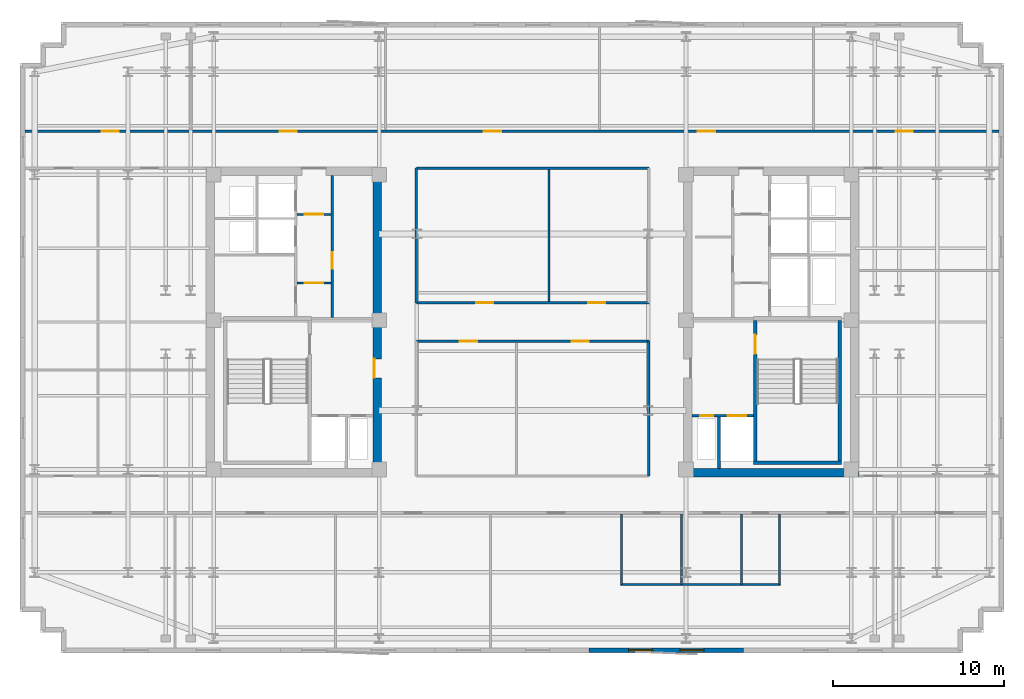
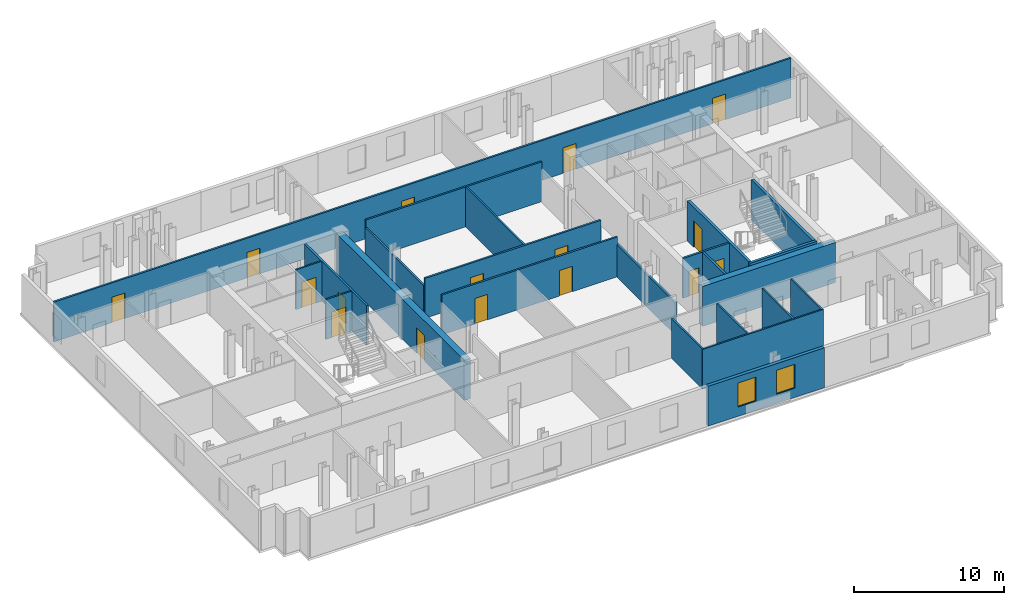
# One storey, part 5 of 9: 23 walls, 16 doors, 2 windows, 18 openings.
"""IFC4 building model written with IfcOpenShell, lengths in metres."""

from ifc_helpers import new_model, si_unit, direction, frame, frame_2d, origin, place, context, subcontext, project, spatial, rectangle, extrude, material, layer, layer_set, type_object, element, fill, save


model = new_model("IFC4")

# Units and contexts
model_context = context("Model", 3, precision=1e-05, world=origin(), true_north=direction((0.0, 1.0)))
body_context = subcontext(model_context, "Body", "Model", "MODEL_VIEW")
ifc_project = project(units=[si_unit("LENGTHUNIT", "METRE"), si_unit("AREAUNIT", "SQUARE_METRE"), si_unit("VOLUMEUNIT", "CUBIC_METRE"), si_unit("PLANEANGLEUNIT", "RADIAN"), si_unit("MASSUNIT", "GRAM", prefix="KILO")], contexts=[model_context])

# Site, building, storey
site_placement = place(None, origin())
site = spatial("IfcSite", under=ifc_project, at=site_placement, CompositionType="ELEMENT")
building_placement = place(site_placement, origin())
building = spatial("IfcBuilding", under=site, at=building_placement, Name="Velakula Bourse", CompositionType="ELEMENT")
storey_placement = place(building_placement, frame((0.0, 0.0, 222.300048828125)))
storey = spatial("IfcBuildingStorey", under=building, at=storey_placement, Name="L60", CompositionType="ELEMENT", Elevation=222.300048828125)

# Wall, opening, door
ifc_material_1 = material(Name="Concrete M50 (fck 50 MPa)", Category="concrete")
ifc_layer_1 = layer(ifc_material_1, 0.2099609375, Name="Concrete M50 (fck 50 MPa)", Category="concrete")
ifc_layer_set_1 = layer_set([ifc_layer_1], Name="Concrete M50 (fck 50 MPa)")
wall_type_1 = type_object("IfcWallType", Name="WL-CORE-210", PredefinedType="SHEAR", material=ifc_layer_set_1)
wall_1_placement = place(storey_placement, frame((12.9951171875, -8.10009765625, 0.0), z_axis=(0.0, 0.0, 1.0), x_axis=(0.0, 1.0, 0.0)))
wall_1 = element("IfcWall", 1, at=wall_1_placement, inside=storey, type_object=wall_type_1, Name="L60 Core E Stairwell Shear Wall IN", PredefinedType="SHEAR", context=body_context, shape_type="SweptSolid", body=[
    extrude(rectangle(XDim=8.2001953125, YDim=0.2099609375, at=frame_2d((4.10009765625, 0.0))), origin(), (0.0, 0.0, 1.0), 3.27001953125),
])
opening_1_placement = place(wall_1_placement, frame((6.25, 0.0, 0.0)))
opening_1 = element("IfcOpeningElement", 2, at=opening_1_placement, cuts=wall_1, Name="Opening D-STE1", PredefinedType="OPENING", context=body_context, shape_type="SweptSolid", body=[
    extrude(rectangle(XDim=1.10009765625, YDim=2.14990234375, at=frame_2d((0.550048828125, 1.074951171875))), frame((0.0, 0.114990234375, 0.0), z_axis=(0.0, -1.0, 0.0), x_axis=(1.0, 0.0, 0.0)), (0.0, 0.0, 1.0), 0.22998046875),
])
ifc_material_2 = material(Name="Galvanised painted hollow steel fire door", Category="steel")
door_type_1 = type_object("IfcDoorType", Name="DR-FD120-1100x2150", OperationType="NOTDEFINED", PredefinedType="DOOR", material=ifc_material_2)
door_1_placement = place(opening_1_placement, origin())
door_1 = element("IfcDoor", 3, at=door_1_placement, inside=storey, type_object=door_type_1, Name="L60 Stair ST-E1 Fire Door", OperationType="SINGLE_SWING_RIGHT", OverallHeight=2.14990234375, OverallWidth=1.10009765625, PredefinedType="DOOR", context=body_context, shape_type="SweptSolid", body=[
    extrude(rectangle(XDim=1.10009765625, YDim=2.14990234375, at=frame_2d((0.550048828125, 1.074951171875))), frame((0.0, 0.02490234375, 0.0), z_axis=(0.0, -1.0, 0.0), x_axis=(1.0, 0.0, 0.0)), (0.0, 0.0, 1.0), 0.050048828125),
])
fill(opening_1, door_1)

# Walls
wall_2_placement = place(storey_placement, frame((17.925048828125, -8.10009765625, 0.0), z_axis=(0.0, 0.0, 1.0), x_axis=(0.0, 1.0, 0.0)))
element("IfcWall", 4, at=wall_2_placement, inside=storey, type_object=wall_type_1, Name="L60 Core E Stairwell Shear Wall OUT", PredefinedType="SHEAR", context=body_context, shape_type="SweptSolid", body=[
    extrude(rectangle(XDim=8.2001953125, YDim=0.2099609375, at=frame_2d((4.10009765625, 0.0))), origin(), (0.0, 0.0, 1.0), 3.27001953125),
])
wall_3_placement = place(storey_placement, frame((12.889892578125, -8.205078125, 0.0), z_axis=(0.0, 0.0, 1.0), x_axis=(1.0, 0.0, 0.0)))
element("IfcWall", 5, at=wall_3_placement, inside=storey, type_object=wall_type_1, Name="L60 Core E Stairwell Shear Wall S", PredefinedType="SHEAR", context=body_context, shape_type="SweptSolid", body=[
    extrude(rectangle(XDim=5.14013671875, YDim=0.2099609375, at=frame_2d((2.570068359375, 0.0))), origin(), (0.0, 0.0, 1.0), 3.27001953125),
])

# Wall, opening, door
ifc_layer_2 = layer(ifc_material_1, 0.5, Name="Concrete M50 (fck 50 MPa)", Category="concrete")
ifc_layer_set_2 = layer_set([ifc_layer_2], Name="Concrete M50 (fck 50 MPa)")
wall_type_2 = type_object("IfcWallType", Name="WL-CORE-500", PredefinedType="SHEAR", material=ifc_layer_set_2)
wall_4_placement = place(storey_placement, frame((-9.050048828125, -8.550048828125, 0.0), z_axis=(0.0, 0.0, 1.0), x_axis=(0.0, 1.0, 0.0)))
wall_4 = element("IfcWall", 6, at=wall_4_placement, inside=storey, type_object=wall_type_2, Name="L60 Core W Shear Wall E", PredefinedType="SHEAR", context=body_context, shape_type="SweptSolid", body=[
    extrude(rectangle(XDim=17.10009765625, YDim=0.5, at=frame_2d((8.550048828125, 0.0))), origin(), (0.0, 0.0, 1.0), 3.27001953125),
])
opening_2_placement = place(wall_4_placement, frame((5.300048828125, 0.0, 0.0)))
opening_2 = element("IfcOpeningElement", 7, at=opening_2_placement, cuts=wall_4, Name="Opening D-FLW", PredefinedType="OPENING", context=body_context, shape_type="SweptSolid", body=[
    extrude(rectangle(XDim=1.10009765625, YDim=2.080078125, at=frame_2d((0.550048828125, 1.0400390625))), frame((0.0, 0.260009765625, 0.0), z_axis=(0.0, -1.0, 0.0), x_axis=(1.0, 0.0, 0.0)), (0.0, 0.0, 1.0), 0.52001953125),
])
door_type_2 = type_object("IfcDoorType", Name="DR-FD120-1100", OperationType="NOTDEFINED", PredefinedType="DOOR", material=ifc_material_2)
door_2_placement = place(opening_2_placement, origin())
door_2 = element("IfcDoor", 8, at=door_2_placement, inside=storey, type_object=door_type_2, Name="L60 Firefighting Lobby W Corridor Fire Door", OperationType="SINGLE_SWING_LEFT", OverallHeight=2.080078125, OverallWidth=1.10009765625, PredefinedType="DOOR", context=body_context, shape_type="SweptSolid", body=[
    extrude(rectangle(XDim=1.10009765625, YDim=2.080078125, at=frame_2d((0.550048828125, 1.0400390625))), frame((0.0, 0.205078125, 0.0), z_axis=(0.0, -1.0, 0.0), x_axis=(1.0, 0.0, 0.0)), (0.0, 0.0, 1.0), 0.050048828125),
])
fill(opening_2, door_2)

# Wall
wall_5_placement = place(storey_placement, frame((8.800048828125, -8.800048828125, 0.0), z_axis=(0.0, 0.0, 1.0), x_axis=(1.0, 0.0, 0.0)))
element("IfcWall", 9, at=wall_5_placement, inside=storey, type_object=wall_type_2, Name="L60 Core E Shear Wall S", PredefinedType="SHEAR", context=body_context, shape_type="SweptSolid", body=[
    extrude(rectangle(XDim=10.25, YDim=0.5, at=frame_2d((5.125, 0.0))), origin(), (0.0, 0.0, 1.0), 3.27001953125),
])

# Wall, openings, windows
ifc_material_3 = material(Name="Buff kilned clay facing brick masonry", Category="masonry")
ifc_layer_3 = layer(ifc_material_3, 0.260009765625, Name="Buff kilned clay facing brick masonry", Category="masonry")
ifc_layer_set_3 = layer_set([ifc_layer_3], Name="Buff kilned clay facing brick masonry")
wall_type_3 = type_object("IfcWallType", Name="WL-EXT-BRK-260", PredefinedType="STANDARD", material=ifc_layer_set_3)
wall_6_placement = place(storey_placement, frame((12.300048828125, -19.14990234375, 0.0), z_axis=(0.0, 0.0, 1.0), x_axis=(-1.0, 0.0, 0.0)))
wall_6 = element("IfcWall", 10, at=wall_6_placement, inside=storey, type_object=wall_type_3, Name="L60 S Brick Spandrel Wall B4", PredefinedType="STANDARD", context=body_context, shape_type="SweptSolid", body=[
    extrude(rectangle(XDim=9.0, YDim=0.260009765625, at=frame_2d((4.5, 0.0))), origin(), (0.0, 0.0, 1.0), 3.25),
])
opening_3_placement = place(wall_6_placement, frame((2.300048828125, 0.0, 0.760009765625)))
opening_3 = element("IfcOpeningElement", 11, at=opening_3_placement, cuts=wall_6, Name="Opening W-03", PredefinedType="OPENING", context=body_context, shape_type="SweptSolid", body=[
    extrude(rectangle(XDim=1.39990234375, YDim=1.949951171875, at=frame_2d((0.699951171875, 0.97509765625))), frame((0.0, 0.139892578125, 0.0), z_axis=(0.0, -1.0, 0.0), x_axis=(1.0, 0.0, 0.0)), (0.0, 0.0, 1.0), 0.280029296875),
])
opening_4_placement = place(wall_6_placement, frame((5.300048828125, 0.0, 0.760009765625)))
opening_4 = element("IfcOpeningElement", 12, at=opening_4_placement, cuts=wall_6, Name="Opening W-03", PredefinedType="OPENING", context=body_context, shape_type="SweptSolid", body=[
    extrude(rectangle(XDim=1.39990234375, YDim=1.949951171875, at=frame_2d((0.699951171875, 0.97509765625))), frame((0.0, 0.139892578125, 0.0), z_axis=(0.0, -1.0, 0.0), x_axis=(1.0, 0.0, 0.0)), (0.0, 0.0, 1.0), 0.280029296875),
])
ifc_material_4 = material(Name="Double-glazed solar-control Low-E glass", Category="glass")
window_type = type_object("IfcWindowType", Name="WIN-TWR-1400x2100", PartitioningType="SINGLE_PANEL", PredefinedType="WINDOW", material=ifc_material_4)
window_1_placement = place(opening_3_placement, origin())
window_1 = element("IfcWindow", 13, at=window_1_placement, inside=storey, type_object=window_type, Name="L60 Deep-Set Recessed Window 1", OverallHeight=1.949951171875, OverallWidth=1.39990234375, PartitioningType="SINGLE_PANEL", PredefinedType="WINDOW", context=body_context, shape_type="SweptSolid", body=[
    extrude(rectangle(XDim=1.39990234375, YDim=1.949951171875, at=frame_2d((0.699951171875, 0.97509765625))), frame((0.0, 0.030029296875, 0.0), z_axis=(0.0, -1.0, 0.0), x_axis=(1.0, 0.0, 0.0)), (0.0, 0.0, 1.0), 0.06005859375),
])
fill(opening_3, window_1)
window_2_placement = place(opening_4_placement, origin())
window_2 = element("IfcWindow", 14, at=window_2_placement, inside=storey, type_object=window_type, Name="L60 Deep-Set Recessed Window 2", OverallHeight=1.949951171875, OverallWidth=1.39990234375, PartitioningType="SINGLE_PANEL", PredefinedType="WINDOW", context=body_context, shape_type="SweptSolid", body=[
    extrude(rectangle(XDim=1.39990234375, YDim=1.949951171875, at=frame_2d((0.699951171875, 0.97509765625))), frame((0.0, 0.030029296875, 0.0), z_axis=(0.0, -1.0, 0.0), x_axis=(1.0, 0.0, 0.0)), (0.0, 0.0, 1.0), 0.06005859375),
])
fill(opening_4, window_2)

# Wall, opening, door
ifc_material_5 = material(Name="Fire-rated double-layer gypsum drywall partition", Category="gypsum")
ifc_layer_4 = layer(ifc_material_5, 0.1201171875, Name="Fire-rated double-layer gypsum drywall partition", Category="gypsum")
ifc_layer_set_4 = layer_set([ifc_layer_4], Name="Fire-rated double-layer gypsum drywall partition")
wall_type_4 = type_object("IfcWallType", Name="WL-PART-120", PredefinedType="STANDARD", material=ifc_layer_set_4)
wall_7_placement = place(storey_placement, frame((-13.75, 2.280029296875, 0.0), z_axis=(0.0, 0.0, 1.0), x_axis=(1.0, 0.0, 0.0)))
wall_7 = element("IfcWall", 15, at=wall_7_placement, inside=storey, type_object=wall_type_4, Name="L60 Interior Partition WL-CRW-L60-LL-K3A", PredefinedType="STANDARD", context=body_context, shape_type="SweptSolid", body=[
    extrude(rectangle(XDim=2.0, YDim=0.1201171875, at=frame_2d((1.0, 0.0))), origin(), (0.0, 0.0, 1.0), 3.25),
])
opening_5_placement = place(wall_7_placement, frame((0.449951171875, 0.0, 0.0)))
opening_5 = element("IfcOpeningElement", 16, at=opening_5_placement, cuts=wall_7, Name="Opening D-LK3", PredefinedType="OPENING", context=body_context, shape_type="SweptSolid", body=[
    extrude(rectangle(XDim=1.10009765625, YDim=2.10009765625, at=frame_2d((0.550048828125, 1.050048828125))), frame((0.0, 0.070068359375, 0.0), z_axis=(0.0, -1.0, 0.0), x_axis=(1.0, 0.0, 0.0)), (0.0, 0.0, 1.0), 0.14013671875),
])
ifc_material_6 = material(Name="Fire-rated hardwood flush architectural door", Category="wood")
door_type_3 = type_object("IfcDoorType", Name="DR-FD60-1100x2100", OperationType="NOTDEFINED", PredefinedType="DOOR", material=ifc_material_6)
door_3_placement = place(opening_5_placement, origin())
door_3 = element("IfcDoor", 17, at=door_3_placement, inside=storey, type_object=door_type_3, Name="L60 Core W Lift Lobby Vestibule Door A", OperationType="SINGLE_SWING_RIGHT", OverallHeight=2.10009765625, OverallWidth=1.10009765625, PredefinedType="DOOR", context=body_context, shape_type="SweptSolid", body=[
    extrude(rectangle(XDim=1.10009765625, YDim=2.10009765625, at=frame_2d((0.550048828125, 1.050048828125))), frame((0.0, 0.02490234375, 0.0), z_axis=(0.0, -1.0, 0.0), x_axis=(1.0, 0.0, 0.0)), (0.0, 0.0, 1.0), 0.050048828125),
])
fill(opening_5, door_3)

wall_8_placement = place(storey_placement, frame((-13.75, 6.280029296875, 0.0), z_axis=(0.0, 0.0, 1.0), x_axis=(1.0, 0.0, 0.0)))
wall_8 = element("IfcWall", 18, at=wall_8_placement, inside=storey, type_object=wall_type_4, Name="L60 Interior Partition WL-CRW-L60-LL-K3B", PredefinedType="STANDARD", context=body_context, shape_type="SweptSolid", body=[
    extrude(rectangle(XDim=2.0, YDim=0.1201171875, at=frame_2d((1.0, 0.0))), origin(), (0.0, 0.0, 1.0), 3.25),
])
opening_6_placement = place(wall_8_placement, frame((0.449951171875, 0.0, 0.0)))
opening_6 = element("IfcOpeningElement", 19, at=opening_6_placement, cuts=wall_8, Name="Opening D-LK3", PredefinedType="OPENING", context=body_context, shape_type="SweptSolid", body=[
    extrude(rectangle(XDim=1.10009765625, YDim=2.10009765625, at=frame_2d((0.550048828125, 1.050048828125))), frame((0.0, 0.070068359375, 0.0), z_axis=(0.0, -1.0, 0.0), x_axis=(1.0, 0.0, 0.0)), (0.0, 0.0, 1.0), 0.14013671875),
])
door_4_placement = place(opening_6_placement, origin())
door_4 = element("IfcDoor", 20, at=door_4_placement, inside=storey, type_object=door_type_3, Name="L60 Core W Lift Lobby Vestibule Door B", OperationType="SINGLE_SWING_RIGHT", OverallHeight=2.10009765625, OverallWidth=1.10009765625, PredefinedType="DOOR", context=body_context, shape_type="SweptSolid", body=[
    extrude(rectangle(XDim=1.10009765625, YDim=2.10009765625, at=frame_2d((0.550048828125, 1.050048828125))), frame((0.0, 0.02490234375, 0.0), z_axis=(0.0, -1.0, 0.0), x_axis=(1.0, 0.0, 0.0)), (0.0, 0.0, 1.0), 0.050048828125),
])
fill(opening_6, door_4)

# Walls
wall_9_placement = place(storey_placement, frame((5.139892578125, -15.320068359375, 0.0), z_axis=(0.0, 0.0, 1.0), x_axis=(1.0, 0.0, 0.0)))
element("IfcWall", 21, at=wall_9_placement, inside=storey, type_object=wall_type_4, Name="L60 Interior Partition WL-WC-L60-BACK", PredefinedType="STANDARD", context=body_context, shape_type="SweptSolid", body=[
    extrude(rectangle(XDim=9.320068359375, YDim=0.1201171875, at=frame_2d((4.66015625, 0.0))), origin(), (0.0, 0.0, 1.0), 3.25),
])
for number, where, z_axis, x_axis, name in (
    (22, (5.199951171875, -15.320068359375, 0.0), (0.0, 0.0, 1.0), (0.0, 1.0, 0.0), "L60 Interior Partition WL-WC-L60-V1"),
    (23, (8.699951171875, -15.320068359375, 0.0), (0.0, 0.0, 1.0), (0.0, 1.0, 0.0), "L60 Interior Partition WL-WC-L60-V2"),
    (24, (12.199951171875, -15.320068359375, 0.0), (0.0, 0.0, 1.0), (0.0, 1.0, 0.0), "L60 Interior Partition WL-WC-L60-V3"),
    (25, (14.39990234375, -15.320068359375, 0.0), (0.0, 0.0, 1.0), (0.0, 1.0, 0.0), "L60 Interior Partition WL-WC-L60-V4"),
):
    element("IfcWall", number, at=place(storey_placement, frame(where, z_axis=z_axis, x_axis=x_axis)), inside=storey, type_object=wall_type_4, Name=name, PredefinedType="STANDARD", context=body_context, shape_type="SweptSolid", body=[
        extrude(rectangle(XDim=4.130126953125, YDim=0.1201171875, at=frame_2d((2.06494140625, 0.0))), origin(), (0.0, 0.0, 1.0), 3.25),
    ])

# Wall, openings, doors
ifc_layer_5 = layer(ifc_material_5, 0.139892578125, Name="Fire-rated double-layer gypsum drywall partition", Category="gypsum")
ifc_layer_set_5 = layer_set([ifc_layer_5], Name="Fire-rated double-layer gypsum drywall partition")
wall_type_5 = type_object("IfcWallType", Name="WL-PART-140", PredefinedType="STANDARD", material=ifc_layer_set_5)
wall_10_placement = place(storey_placement, frame((-29.6201171875, 11.1201171875, 0.0), z_axis=(0.0, 0.0, 1.0), x_axis=(1.0, 0.0, 0.0)))
wall_10 = element("IfcWall", 26, at=wall_10_placement, inside=storey, type_object=wall_type_5, Name="L60 Interior Partition WL-INT-L60-N-CORR", PredefinedType="STANDARD", context=body_context, shape_type="SweptSolid", body=[
    extrude(rectangle(XDim=56.840087890625, YDim=0.139892578125, at=frame_2d((28.419921875, 0.0))), origin(), (0.0, 0.0, 1.0), 3.25),
])
opening_7_placement = place(wall_10_placement, frame((4.47705078125, 0.0, 0.0)))
opening_7 = element("IfcOpeningElement", 27, at=opening_7_placement, cuts=wall_10, Name="Opening D-OF1", PredefinedType="OPENING", context=body_context, shape_type="SweptSolid", body=[
    extrude(rectangle(XDim=1.0, YDim=2.080078125, at=frame_2d((0.5, 1.0400390625))), frame((0.0, 0.079833984375, 0.0), z_axis=(0.0, -1.0, 0.0), x_axis=(1.0, 0.0, 0.0)), (0.0, 0.0, 1.0), 0.159912109375),
])
opening_8_placement = place(wall_10_placement, frame((14.8740234375, 0.0, 0.0)))
opening_8 = element("IfcOpeningElement", 28, at=opening_8_placement, cuts=wall_10, Name="Opening D-OF1", PredefinedType="OPENING", context=body_context, shape_type="SweptSolid", body=[
    extrude(rectangle(XDim=1.0, YDim=2.080078125, at=frame_2d((0.5, 1.0400390625))), frame((0.0, 0.079833984375, 0.0), z_axis=(0.0, -1.0, 0.0), x_axis=(1.0, 0.0, 0.0)), (0.0, 0.0, 1.0), 0.159912109375),
])
opening_9_placement = place(wall_10_placement, frame((26.785400390625, 0.0, 0.0)))
opening_9 = element("IfcOpeningElement", 29, at=opening_9_placement, cuts=wall_10, Name="Opening D-OF1", PredefinedType="OPENING", context=body_context, shape_type="SweptSolid", body=[
    extrude(rectangle(XDim=1.0, YDim=2.080078125, at=frame_2d((0.5, 1.0400390625))), frame((0.0, 0.079833984375, 0.0), z_axis=(0.0, -1.0, 0.0), x_axis=(1.0, 0.0, 0.0)), (0.0, 0.0, 1.0), 0.159912109375),
])
opening_10_placement = place(wall_10_placement, frame((39.263916015625, 0.0, 0.0)))
opening_10 = element("IfcOpeningElement", 30, at=opening_10_placement, cuts=wall_10, Name="Opening D-OF1", PredefinedType="OPENING", context=body_context, shape_type="SweptSolid", body=[
    extrude(rectangle(XDim=1.0, YDim=2.080078125, at=frame_2d((0.5, 1.0400390625))), frame((0.0, 0.079833984375, 0.0), z_axis=(0.0, -1.0, 0.0), x_axis=(1.0, 0.0, 0.0)), (0.0, 0.0, 1.0), 0.159912109375),
])
opening_11_placement = place(wall_10_placement, frame((50.79541015625, 0.0, 0.0)))
opening_11 = element("IfcOpeningElement", 31, at=opening_11_placement, cuts=wall_10, Name="Opening D-OF1", PredefinedType="OPENING", context=body_context, shape_type="SweptSolid", body=[
    extrude(rectangle(XDim=1.0, YDim=2.080078125, at=frame_2d((0.5, 1.0400390625))), frame((0.0, 0.079833984375, 0.0), z_axis=(0.0, -1.0, 0.0), x_axis=(1.0, 0.0, 0.0)), (0.0, 0.0, 1.0), 0.159912109375),
])
door_type_4 = type_object("IfcDoorType", Name="DR-OFF-1000", OperationType="NOTDEFINED", PredefinedType="DOOR", material=ifc_material_6)
door_5_placement = place(opening_7_placement, origin())
door_5 = element("IfcDoor", 32, at=door_5_placement, inside=storey, type_object=door_type_4, Name="L60 Equity Options Trading Workspace Door", OperationType="SINGLE_SWING_LEFT", OverallHeight=2.080078125, OverallWidth=1.0, PredefinedType="DOOR", context=body_context, shape_type="SweptSolid", body=[
    extrude(rectangle(XDim=1.0, YDim=2.080078125, at=frame_2d((0.5, 1.0400390625))), frame((0.0, 0.02490234375, 0.0), z_axis=(0.0, -1.0, 0.0), x_axis=(1.0, 0.0, 0.0)), (0.0, 0.0, 1.0), 0.050048828125),
])
fill(opening_7, door_5)
door_6_placement = place(opening_8_placement, origin())
door_6 = element("IfcDoor", 33, at=door_6_placement, inside=storey, type_object=door_type_4, Name="L60 Disciplinary Hearing Room Door", OperationType="SINGLE_SWING_RIGHT", OverallHeight=2.080078125, OverallWidth=1.0, PredefinedType="DOOR", context=body_context, shape_type="SweptSolid", body=[
    extrude(rectangle(XDim=1.0, YDim=2.080078125, at=frame_2d((0.5, 1.0400390625))), frame((0.0, 0.02490234375, 0.0), z_axis=(0.0, -1.0, 0.0), x_axis=(1.0, 0.0, 0.0)), (0.0, 0.0, 1.0), 0.050048828125),
])
fill(opening_8, door_6)
door_7_placement = place(opening_9_placement, origin())
door_7 = element("IfcDoor", 34, at=door_7_placement, inside=storey, type_object=door_type_4, Name="L60 Traders Pantry Door", OperationType="SINGLE_SWING_LEFT", OverallHeight=2.080078125, OverallWidth=1.0, PredefinedType="DOOR", context=body_context, shape_type="SweptSolid", body=[
    extrude(rectangle(XDim=1.0, YDim=2.080078125, at=frame_2d((0.5, 1.0400390625))), frame((0.0, 0.02490234375, 0.0), z_axis=(0.0, -1.0, 0.0), x_axis=(1.0, 0.0, 0.0)), (0.0, 0.0, 1.0), 0.050048828125),
])
fill(opening_9, door_7)
door_8_placement = place(opening_10_placement, origin())
door_8 = element("IfcDoor", 35, at=door_8_placement, inside=storey, type_object=door_type_4, Name="L60 Quiet Financial Library Door", OperationType="SINGLE_SWING_RIGHT", OverallHeight=2.080078125, OverallWidth=1.0, PredefinedType="DOOR", context=body_context, shape_type="SweptSolid", body=[
    extrude(rectangle(XDim=1.0, YDim=2.080078125, at=frame_2d((0.5, 1.0400390625))), frame((0.0, 0.02490234375, 0.0), z_axis=(0.0, -1.0, 0.0), x_axis=(1.0, 0.0, 0.0)), (0.0, 0.0, 1.0), 0.050048828125),
])
fill(opening_10, door_8)
door_9_placement = place(opening_11_placement, origin())
door_9 = element("IfcDoor", 36, at=door_9_placement, inside=storey, type_object=door_type_4, Name="L60 Margin Control Office Door", OperationType="SINGLE_SWING_LEFT", OverallHeight=2.080078125, OverallWidth=1.0, PredefinedType="DOOR", context=body_context, shape_type="SweptSolid", body=[
    extrude(rectangle(XDim=1.0, YDim=2.080078125, at=frame_2d((0.5, 1.0400390625))), frame((0.0, 0.02490234375, 0.0), z_axis=(0.0, -1.0, 0.0), x_axis=(1.0, 0.0, 0.0)), (0.0, 0.0, 1.0), 0.050048828125),
])
fill(opening_11, door_9)

wall_11_placement = place(storey_placement, frame((-6.780029296875, 1.1201171875, 0.0), z_axis=(0.0, 0.0, 1.0), x_axis=(1.0, 0.0, 0.0)))
wall_11 = element("IfcWall", 37, at=wall_11_placement, inside=storey, type_object=wall_type_5, Name="L60 Interior Partition WL-INT-L60-MN-IN", PredefinedType="STANDARD", context=body_context, shape_type="SweptSolid", body=[
    extrude(rectangle(XDim=13.56005859375, YDim=0.139892578125, at=frame_2d((6.780029296875, 0.0))), origin(), (0.0, 0.0, 1.0), 3.25),
])
opening_12_placement = place(wall_11_placement, frame((3.490966796875, 0.0, 0.0)))
opening_12 = element("IfcOpeningElement", 38, at=opening_12_placement, cuts=wall_11, Name="Opening D-OF1", PredefinedType="OPENING", context=body_context, shape_type="SweptSolid", body=[
    extrude(rectangle(XDim=1.0, YDim=2.080078125, at=frame_2d((0.5, 1.0400390625))), frame((0.0, 0.079833984375, 0.0), z_axis=(0.0, -1.0, 0.0), x_axis=(1.0, 0.0, 0.0)), (0.0, 0.0, 1.0), 0.159912109375),
])
opening_13_placement = place(wall_11_placement, frame((10.01904296875, 0.0, 0.0)))
opening_13 = element("IfcOpeningElement", 39, at=opening_13_placement, cuts=wall_11, Name="Opening D-OF1", PredefinedType="OPENING", context=body_context, shape_type="SweptSolid", body=[
    extrude(rectangle(XDim=1.0, YDim=2.080078125, at=frame_2d((0.5, 1.0400390625))), frame((0.0, 0.079833984375, 0.0), z_axis=(0.0, -1.0, 0.0), x_axis=(1.0, 0.0, 0.0)), (0.0, 0.0, 1.0), 0.159912109375),
])
door_10_placement = place(opening_12_placement, origin())
door_10 = element("IfcDoor", 40, at=door_10_placement, inside=storey, type_object=door_type_4, Name="L60 Compliance Review Office Door", OperationType="SINGLE_SWING_LEFT", OverallHeight=2.080078125, OverallWidth=1.0, PredefinedType="DOOR", context=body_context, shape_type="SweptSolid", body=[
    extrude(rectangle(XDim=1.0, YDim=2.080078125, at=frame_2d((0.5, 1.0400390625))), frame((0.0, 0.02490234375, 0.0), z_axis=(0.0, -1.0, 0.0), x_axis=(1.0, 0.0, 0.0)), (0.0, 0.0, 1.0), 0.050048828125),
])
fill(opening_12, door_10)
door_11_placement = place(opening_13_placement, origin())
door_11 = element("IfcDoor", 41, at=door_11_placement, inside=storey, type_object=door_type_4, Name="L60 Margin Control Office Door", OperationType="SINGLE_SWING_RIGHT", OverallHeight=2.080078125, OverallWidth=1.0, PredefinedType="DOOR", context=body_context, shape_type="SweptSolid", body=[
    extrude(rectangle(XDim=1.0, YDim=2.080078125, at=frame_2d((0.5, 1.0400390625))), frame((0.0, 0.02490234375, 0.0), z_axis=(0.0, -1.0, 0.0), x_axis=(1.0, 0.0, 0.0)), (0.0, 0.0, 1.0), 0.050048828125),
])
fill(opening_13, door_11)

# Walls
wall_12_placement = place(storey_placement, frame((-6.780029296875, 8.97998046875, 0.0), z_axis=(0.0, 0.0, 1.0), x_axis=(1.0, 0.0, 0.0)))
element("IfcWall", 42, at=wall_12_placement, inside=storey, type_object=wall_type_5, Name="L60 Interior Partition WL-INT-L60-MN-OUT", PredefinedType="STANDARD", context=body_context, shape_type="SweptSolid", body=[
    extrude(rectangle(XDim=13.56005859375, YDim=0.139892578125, at=frame_2d((6.780029296875, 0.0))), origin(), (0.0, 0.0, 1.0), 3.25),
])
wall_13_placement = place(storey_placement, frame((-6.780029296875, 1.1201171875, 0.0), z_axis=(0.0, 0.0, 1.0), x_axis=(0.0, 1.0, 0.0)))
element("IfcWall", 43, at=wall_13_placement, inside=storey, type_object=wall_type_5, Name="L60 Interior Partition WL-INT-L60-MN-W", PredefinedType="STANDARD", context=body_context, shape_type="SweptSolid", body=[
    extrude(rectangle(XDim=7.85986328125, YDim=0.139892578125, at=frame_2d((3.929931640625, 0.0))), origin(), (0.0, 0.0, 1.0), 2.64501953125),
])
wall_14_placement = place(storey_placement, frame((0.949951171875, 1.18994140625, 0.0), z_axis=(0.0, 0.0, 1.0), x_axis=(0.0, 1.0, 0.0)))
element("IfcWall", 44, at=wall_14_placement, inside=storey, type_object=wall_type_5, Name="L60 Interior Partition WL-INT-L60-MN-V1", PredefinedType="STANDARD", context=body_context, shape_type="SweptSolid", body=[
    extrude(rectangle(XDim=7.719970703125, YDim=0.1201171875, at=frame_2d((3.85986328125, 0.0))), origin(), (0.0, 0.0, 1.0), 3.25),
])

# Wall, openings, doors
wall_15_placement = place(storey_placement, frame((-6.780029296875, -1.1201171875, 0.0), z_axis=(0.0, 0.0, 1.0), x_axis=(1.0, 0.0, 0.0)))
wall_15 = element("IfcWall", 45, at=wall_15_placement, inside=storey, type_object=wall_type_5, Name="L60 Interior Partition WL-INT-L60-MS-IN", PredefinedType="STANDARD", context=body_context, shape_type="SweptSolid", body=[
    extrude(rectangle(XDim=13.56005859375, YDim=0.139892578125, at=frame_2d((6.780029296875, 0.0))), origin(), (0.0, 0.0, 1.0), 3.25),
])
opening_14_placement = place(wall_15_placement, frame((2.541015625, 0.0, 0.0)))
opening_14 = element("IfcOpeningElement", 46, at=opening_14_placement, cuts=wall_15, Name="Opening D-OF1", PredefinedType="OPENING", context=body_context, shape_type="SweptSolid", body=[
    extrude(rectangle(XDim=1.0, YDim=2.080078125, at=frame_2d((0.5, 1.0400390625))), frame((0.0, 0.079833984375, 0.0), z_axis=(0.0, -1.0, 0.0), x_axis=(1.0, 0.0, 0.0)), (0.0, 0.0, 1.0), 0.159912109375),
])
opening_15_placement = place(wall_15_placement, frame((9.069091796875, 0.0, 0.0)))
opening_15 = element("IfcOpeningElement", 47, at=opening_15_placement, cuts=wall_15, Name="Opening D-OF1", PredefinedType="OPENING", context=body_context, shape_type="SweptSolid", body=[
    extrude(rectangle(XDim=1.0, YDim=2.080078125, at=frame_2d((0.5, 1.0400390625))), frame((0.0, 0.079833984375, 0.0), z_axis=(0.0, -1.0, 0.0), x_axis=(1.0, 0.0, 0.0)), (0.0, 0.0, 1.0), 0.159912109375),
])
door_12_placement = place(opening_14_placement, origin())
door_12 = element("IfcDoor", 48, at=door_12_placement, inside=storey, type_object=door_type_4, Name="L60 Bullion Assay Office Door", OperationType="SINGLE_SWING_LEFT", OverallHeight=2.080078125, OverallWidth=1.0, PredefinedType="DOOR", context=body_context, shape_type="SweptSolid", body=[
    extrude(rectangle(XDim=1.0, YDim=2.080078125, at=frame_2d((0.5, 1.0400390625))), frame((0.0, 0.02490234375, 0.0), z_axis=(0.0, -1.0, 0.0), x_axis=(1.0, 0.0, 0.0)), (0.0, 0.0, 1.0), 0.050048828125),
])
fill(opening_14, door_12)
door_13_placement = place(opening_15_placement, origin())
door_13 = element("IfcDoor", 49, at=door_13_placement, inside=storey, type_object=door_type_4, Name="L60 Legal Counsel Office Door", OperationType="SINGLE_SWING_RIGHT", OverallHeight=2.080078125, OverallWidth=1.0, PredefinedType="DOOR", context=body_context, shape_type="SweptSolid", body=[
    extrude(rectangle(XDim=1.0, YDim=2.080078125, at=frame_2d((0.5, 1.0400390625))), frame((0.0, 0.02490234375, 0.0), z_axis=(0.0, -1.0, 0.0), x_axis=(1.0, 0.0, 0.0)), (0.0, 0.0, 1.0), 0.050048828125),
])
fill(opening_15, door_13)

# Wall
wall_16_placement = place(storey_placement, frame((6.780029296875, -8.97998046875, 0.0), z_axis=(0.0, 0.0, 1.0), x_axis=(0.0, 1.0, 0.0)))
element("IfcWall", 50, at=wall_16_placement, inside=storey, type_object=wall_type_5, Name="L60 Interior Partition WL-INT-L60-MS-E", PredefinedType="STANDARD", context=body_context, shape_type="SweptSolid", body=[
    extrude(rectangle(XDim=7.85986328125, YDim=0.139892578125, at=frame_2d((3.929931640625, 0.0))), origin(), (0.0, 0.0, 1.0), 2.64501953125),
])

# Wall, opening, door
ifc_material_7 = material(Name="Autoclaved aerated concrete blockwork masonry", Category="masonry")
ifc_layer_6 = layer(ifc_material_7, 0.14990234375, Name="Autoclaved aerated concrete blockwork masonry", Category="masonry")
ifc_layer_set_6 = layer_set([ifc_layer_6], Name="Autoclaved aerated concrete blockwork masonry")
wall_type_6 = type_object("IfcWallType", Name="WL-SHAFT-150", PredefinedType="STANDARD", material=ifc_layer_set_6)
wall_17_placement = place(storey_placement, frame((-11.675048828125, 0.27001953125, 0.0), z_axis=(0.0, 0.0, 1.0), x_axis=(0.0, 1.0, 0.0)))
wall_17 = element("IfcWall", 51, at=wall_17_placement, inside=storey, type_object=wall_type_6, Name="L60 Interior Partition WL-CRW-L60-BANK-F", PredefinedType="STANDARD", context=body_context, shape_type="SweptSolid", body=[
    extrude(rectangle(XDim=8.280029296875, YDim=0.14990234375, at=frame_2d((4.14013671875, 0.0))), origin(), (0.0, 0.0, 1.0), 3.25),
])
opening_16_placement = place(wall_17_placement, frame((2.85009765625, 0.0, 0.0)))
opening_16 = element("IfcOpeningElement", 52, at=opening_16_placement, cuts=wall_17, Name="Opening D-RC4", PredefinedType="OPENING", context=body_context, shape_type="SweptSolid", body=[
    extrude(rectangle(XDim=0.949951171875, YDim=2.050048828125, at=frame_2d((0.47509765625, 1.02490234375))), frame((0.0, 0.0849609375, 0.0), z_axis=(0.0, -1.0, 0.0), x_axis=(1.0, 0.0, 0.0)), (0.0, 0.0, 1.0), 0.169921875),
])
door_type_5 = type_object("IfcDoorType", Name="DR-FD60-950x2050", OperationType="NOTDEFINED", PredefinedType="DOOR", material=ifc_material_6)
door_14_placement = place(opening_16_placement, origin())
door_14 = element("IfcDoor", 53, at=door_14_placement, inside=storey, type_object=door_type_5, Name="L60 Reclaimed Multi-Bay Archive Room Door", OperationType="SINGLE_SWING_RIGHT", OverallHeight=2.050048828125, OverallWidth=0.949951171875, PredefinedType="DOOR", context=body_context, shape_type="SweptSolid", body=[
    extrude(rectangle(XDim=0.949951171875, YDim=2.050048828125, at=frame_2d((0.47509765625, 1.02490234375))), frame((0.0, 0.02490234375, 0.0), z_axis=(0.0, -1.0, 0.0), x_axis=(1.0, 0.0, 0.0)), (0.0, 0.0, 1.0), 0.050048828125),
])
fill(opening_16, door_14)

# Wall, openings, doors
wall_18_placement = place(storey_placement, frame((9.300048828125, -5.47509765625, 0.0), z_axis=(0.0, 0.0, 1.0), x_axis=(1.0, 0.0, 0.0)))
wall_18 = element("IfcWall", 54, at=wall_18_placement, inside=storey, type_object=wall_type_6, Name="L60 Interior Partition WL-CRE-L60-FFL-N", PredefinedType="STANDARD", context=body_context, shape_type="SweptSolid", body=[
    extrude(rectangle(XDim=3.594970703125, YDim=0.14990234375, at=frame_2d((1.79736328125, 0.0))), origin(), (0.0, 0.0, 1.0), 3.25),
])
opening_17_placement = place(wall_18_placement, frame((2.074951171875, 0.0, 0.0)))
opening_17 = element("IfcOpeningElement", 55, at=opening_17_placement, cuts=wall_18, Name="Opening LD-FFL-2", PredefinedType="OPENING", context=body_context, shape_type="SweptSolid", body=[
    extrude(rectangle(XDim=1.10009765625, YDim=2.14990234375, at=frame_2d((0.550048828125, 1.074951171875))), frame((0.0, 0.0849609375, 0.0), z_axis=(0.0, -1.0, 0.0), x_axis=(1.0, 0.0, 0.0)), (0.0, 0.0, 1.0), 0.169921875),
])
opening_18_placement = place(wall_18_placement, frame((0.47509765625, 0.0, 0.0)))
opening_18 = element("IfcOpeningElement", 56, at=opening_18_placement, cuts=wall_18, Name="Opening D-RS1", PredefinedType="OPENING", context=body_context, shape_type="SweptSolid", body=[
    extrude(rectangle(XDim=0.75, YDim=2.050048828125, at=frame_2d((0.375, 1.02490234375))), frame((0.0, 0.0849609375, 0.0), z_axis=(0.0, -1.0, 0.0), x_axis=(1.0, 0.0, 0.0)), (0.0, 0.0, 1.0), 0.169921875),
])
door_type_6 = type_object("IfcDoorType", Name="DR-RISER-800", OperationType="NOTDEFINED", PredefinedType="DOOR", material=ifc_material_2)
door_15_placement = place(opening_18_placement, origin())
door_15 = element("IfcDoor", 57, at=door_15_placement, inside=storey, type_object=door_type_6, Name="L60 Fire Riser Access Door", OperationType="SINGLE_SWING_LEFT", OverallHeight=2.050048828125, OverallWidth=0.75, PredefinedType="DOOR", context=body_context, shape_type="SweptSolid", body=[
    extrude(rectangle(XDim=0.75, YDim=2.050048828125, at=frame_2d((0.375, 1.02490234375))), frame((0.0, 0.02490234375, 0.0), z_axis=(0.0, -1.0, 0.0), x_axis=(1.0, 0.0, 0.0)), (0.0, 0.0, 1.0), 0.050048828125),
])
fill(opening_18, door_15)
ifc_material_8 = material(Name="Brushed grade 316 stainless steel", Category="steel")
door_type_7 = type_object("IfcDoorType", Name="DR-SLIDE-FFL-1100", OperationType="DOUBLE_DOOR_SLIDING", PredefinedType="DOOR", material=ifc_material_8)
door_16_placement = place(opening_17_placement, origin())
door_16 = element("IfcDoor", 58, at=door_16_placement, inside=storey, type_object=door_type_7, Name="L60 Firefighting Lift FFL-2 Sliding Landing Door", OperationType="DOUBLE_DOOR_SLIDING", OverallHeight=2.14990234375, OverallWidth=1.10009765625, PredefinedType="DOOR", context=body_context, shape_type="SweptSolid", body=[
    extrude(rectangle(XDim=1.10009765625, YDim=2.14990234375, at=frame_2d((0.550048828125, 1.074951171875))), frame((0.0, 0.02490234375, 0.0), z_axis=(0.0, -1.0, 0.0), x_axis=(1.0, 0.0, 0.0)), (0.0, 0.0, 1.0), 0.050048828125),
])
fill(opening_17, door_16)

# Wall
wall_19_placement = place(storey_placement, frame((10.875, -8.550048828125, 0.0), z_axis=(0.0, 0.0, 1.0), x_axis=(0.0, 1.0, 0.0)))
element("IfcWall", 59, at=wall_19_placement, inside=storey, type_object=wall_type_6, Name="L60 Interior Partition WL-CRE-L60-FR-DIV", PredefinedType="STANDARD", context=body_context, shape_type="SweptSolid", body=[
    extrude(rectangle(XDim=3.0, YDim=0.14990234375, at=frame_2d((1.5, 0.0))), origin(), (0.0, 0.0, 1.0), 3.25),
])

save(model, "model.ifc")
